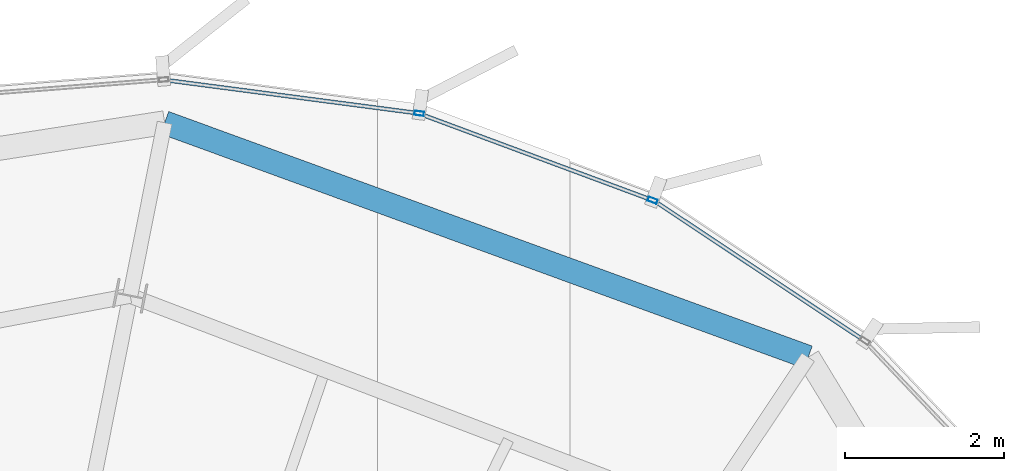
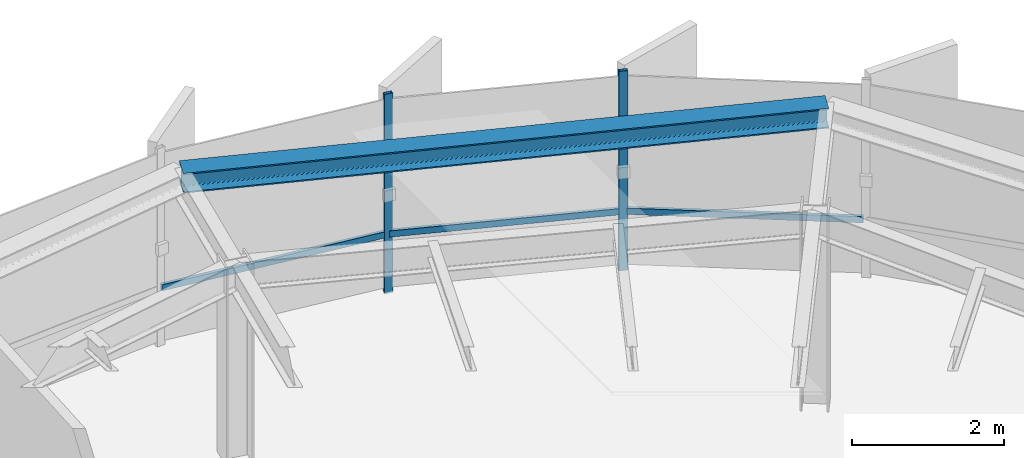
# One storey, part 22 of 31: 5 members, 1 beam, 2 elements without a shape of their own.
"""IFC4 building model written with IfcOpenShell, lengths in metres."""

import ifcopenshell
import ifcopenshell.guid

model = None  # the IFC model being written
_history = None  # IfcOwnerHistory: only IFC2X3 demands one
_inside = {}  # id of a spatial element -> (the spatial element, [elements in it])
_under = {}  # id of a project, library or spatial element -> (it, [spatial elements below it])
_declared = {}  # id of a project -> (the project, [libraries it declares])
_typed = {}  # id of a type object -> (the type object, [elements of that type])
_made_of = {}  # id of a material, layer set ... -> (it, [elements and type objects made of it])


def new_model(schema):
    """Start an empty IFC model of exactly this schema.

    Asked for "IFC4X3", IfcOpenShell would pick the latest addendum, in which some entities
    have other attributes; the version numbers below select the first issue.
    IFC2X3 requires an IfcOwnerHistory on every rooted entity: one is made here for all.
    """
    global model, _history
    if schema == "IFC4X3":
        model = ifcopenshell.file(schema_version=(4, 3, 0, 0))
    else:
        model = ifcopenshell.file(schema=schema)
    _inside.clear()
    _under.clear()
    _declared.clear()
    _typed.clear()
    _made_of.clear()
    _history = None
    if model.schema == "IFC2X3":
        org = make("IfcOrganization", Name="unknown")
        user = make(
            "IfcPersonAndOrganization",
            ThePerson=make("IfcPerson", FamilyName="unknown"),
            TheOrganization=org,
        )
        app = make(
            "IfcApplication",
            ApplicationDeveloper=org,
            Version="unknown",
            ApplicationFullName="unknown",
            ApplicationIdentifier="unknown",
        )
        _history = make(
            "IfcOwnerHistory",
            OwningUser=user,
            OwningApplication=app,
            ChangeAction="ADDED",
            CreationDate=0,
        )
    return model


def make(cls, **values):
    """One entity of the class cls with the attributes given. An attribute that is None is left unset."""
    return model.create_entity(
        cls, **{name: value for name, value in values.items() if value is not None}
    )


def rooted(cls, **values):
    """An entity with a GlobalId (a new one), such as an element, a storey or a relation."""
    return make(cls, GlobalId=ifcopenshell.guid.new(), OwnerHistory=_history, **values)


def si_unit(unit_type, name, prefix=None):
    """IfcSIUnit, for example si_unit("LENGTHUNIT", "METRE", prefix="MILLI")."""
    return make("IfcSIUnit", UnitType=unit_type, Prefix=prefix, Name=name)


def assignment(units):
    """IfcUnitAssignment: the units of a project."""
    return None if units is None else make("IfcUnitAssignment", Units=units)


def point(xyz):
    """IfcCartesianPoint."""
    return None if xyz is None else make("IfcCartesianPoint", Coordinates=xyz)


def direction(xyz):
    """IfcDirection."""
    return None if xyz is None else make("IfcDirection", DirectionRatios=xyz)


def frame(location, z_axis=None, x_axis=None):
    """IfcAxis2Placement3D, a coordinate frame: its origin and axes. An axis left out is left unset."""
    return make(
        "IfcAxis2Placement3D",
        Location=point(location),
        Axis=direction(z_axis),
        RefDirection=direction(x_axis),
    )


def frame_2d(location, x_axis=None):
    """IfcAxis2Placement2D, a coordinate frame in the plane: its origin and x axis."""
    return make(
        "IfcAxis2Placement2D", Location=point(location), RefDirection=direction(x_axis)
    )


def origin():
    """The frame at (0, 0, 0) with its axes left unset."""
    return frame((0.0, 0.0, 0.0))


def origin_2d():
    """The frame at (0, 0) in the plane with its x axis left unset."""
    return frame_2d((0.0, 0.0))


def place(relative_to, where):
    """IfcLocalPlacement: puts the frame where relative to a parent placement (None: the world)."""
    return make(
        "IfcLocalPlacement", PlacementRelTo=relative_to, RelativePlacement=where
    )


def context(
    kind, dimensions, precision=None, world=None, true_north=None, identifier=None
):
    """IfcGeometricRepresentationContext, for example the 3D "Model" context."""
    return make(
        "IfcGeometricRepresentationContext",
        ContextIdentifier=identifier,
        ContextType=kind,
        CoordinateSpaceDimension=dimensions,
        Precision=precision,
        WorldCoordinateSystem=world,
        TrueNorth=true_north,
    )


def subcontext(parent, identifier, kind, view, scale=None):
    """IfcGeometricRepresentationSubContext, for example "Body" below "Model"."""
    return make(
        "IfcGeometricRepresentationSubContext",
        ContextIdentifier=identifier,
        ContextType=kind,
        ParentContext=parent,
        TargetScale=scale,
        TargetView=view,
    )


def project(units=None, contexts=None):
    """IfcProject with its units and contexts."""
    return rooted(
        "IfcProject",
        Name="project",
        RepresentationContexts=contexts,
        UnitsInContext=assignment(units),
    )


def spatial(cls, under=None, at=None, **own):
    """A site, building, storey or space (cls), placed at a placement, below another one or the project."""
    s = rooted(cls, ObjectPlacement=at, **own)
    if under is not None:
        _under.setdefault(under.id(), (under, []))[1].append(s)
    return s


def profile(cls, at=None, kind="AREA", **sizes):
    """A parametric profile (cls). Its sizes go by their IFC names, for example OverallWidth=200.0."""
    return make(cls, ProfileType=kind, Position=at, **sizes)


def hollow_rectangle(**sizes):
    """IfcRectangleHollowProfileDef."""
    return profile("IfcRectangleHollowProfileDef", **sizes)


def i_section(**sizes):
    """IfcIShapeProfileDef."""
    return profile("IfcIShapeProfileDef", **sizes)


def extrude(swept, where, along, depth):
    """IfcExtrudedAreaSolid: the profile swept, set in the frame where, extruded along a direction by depth."""
    return make(
        "IfcExtrudedAreaSolid",
        SweptArea=swept,
        Position=where,
        ExtrudedDirection=direction(along),
        Depth=depth,
    )


def shape(context_of_items, identifier, shape_type, items):
    """IfcShapeRepresentation: the items that make up one representation, for example the "Body"."""
    return make(
        "IfcShapeRepresentation",
        ContextOfItems=context_of_items,
        RepresentationIdentifier=identifier,
        RepresentationType=shape_type,
        Items=items,
    )


def source(mapping_origin, context_of_items, identifier, shape_type, items):
    """IfcRepresentationMap: a shape defined once, which mapped items show again and again."""
    return make(
        "IfcRepresentationMap",
        MappingOrigin=mapping_origin,
        MappedRepresentation=shape(context_of_items, identifier, shape_type, items),
    )


def transform(
    local_origin,
    x_axis=None,
    y_axis=None,
    z_axis=None,
    scale=None,
    scale2=None,
    scale3=None,
    uniform=True,
):
    """IfcCartesianTransformationOperator3D, or its non-uniform kind. x_axis, y_axis, z_axis: its Axis1, 2, 3."""
    if uniform:
        return make(
            "IfcCartesianTransformationOperator3D",
            Axis1=direction(x_axis),
            Axis2=direction(y_axis),
            LocalOrigin=point(local_origin),
            Scale=scale,
            Axis3=direction(z_axis),
        )
    return make(
        "IfcCartesianTransformationOperator3DnonUniform",
        Axis1=direction(x_axis),
        Axis2=direction(y_axis),
        LocalOrigin=point(local_origin),
        Scale=scale,
        Axis3=direction(z_axis),
        Scale2=scale2,
        Scale3=scale3,
    )


def mapped(mapping_source, mapping_target):
    """IfcMappedItem: shows the shape of a source again, moved by a transform."""
    return make(
        "IfcMappedItem", MappingSource=mapping_source, MappingTarget=mapping_target
    )


def material(Name=None, Category=None):
    """IfcMaterial."""
    return make("IfcMaterial", Name=Name, Category=Category)


def layer(
    of_material, thickness, ventilated=None, Name=None, Category=None, Priority=None
):
    """IfcMaterialLayer: one layer of a wall or slab, of a material (None: an air gap)."""
    return make(
        "IfcMaterialLayer",
        Material=of_material,
        LayerThickness=thickness,
        IsVentilated=ventilated,
        Name=Name,
        Category=Category,
        Priority=Priority,
    )


def layer_set(layers, Name=None):
    """IfcMaterialLayerSet."""
    return make("IfcMaterialLayerSet", MaterialLayers=layers, LayerSetName=Name)


def material_profile(
    of_material, cross_section, Name=None, Category=None, Priority=None
):
    """IfcMaterialProfile: a cross section and its material."""
    return make(
        "IfcMaterialProfile",
        Name=Name,
        Material=of_material,
        Profile=cross_section,
        Priority=Priority,
        Category=Category,
    )


def profile_set(profiles, Name=None, composite=None):
    """IfcMaterialProfileSet."""
    return make(
        "IfcMaterialProfileSet",
        Name=Name,
        MaterialProfiles=profiles,
        CompositeProfile=composite,
    )


def made_of(thing, what):
    """Note that an element or type object is made of a material, layer set ...; save() writes the relation."""
    if what is not None:
        _made_of.setdefault(what.id(), (what, []))[1].append(thing)
    return thing


def type_object(cls, material=None, **own):
    """A type object (cls), such as IfcWallType, which elements share."""
    return made_of(rooted(cls, **own), material)


def element(
    cls,
    number,
    at=None,
    inside=None,
    cuts=None,
    type_object=None,
    material=None,
    context=None,
    identifier="Body",
    shape_type=None,
    held_by="IfcProductDefinitionShape",
    body=None,
    shapes=None,
    **own,
):
    """One element of the class cls, such as IfcWall. Its Tag is "e" and its number.

    at: its placement. inside: the storey or other place that contains it. cuts: it is an
    opening in that element (IfcRelVoidsElement). A single representation is given by context,
    identifier, shape_type and body (its items); several are given by shapes. held_by: the class
    of the entity that holds the representations. save() writes the other relations.
    """
    e = rooted(cls, Tag="e%d" % number, ObjectPlacement=at, **own)
    if body is not None:
        shapes = [shape(context, identifier, shape_type, body)]
    if shapes is not None:
        e.Representation = make(held_by, Representations=shapes)
    if inside is not None:
        _inside.setdefault(inside.id(), (inside, []))[1].append(e)
    if cuts is not None:
        rooted(
            "IfcRelVoidsElement", RelatingBuildingElement=cuts, RelatedOpeningElement=e
        )
    if type_object is not None:
        _typed.setdefault(type_object.id(), (type_object, []))[1].append(e)
    return made_of(e, material)


def aggregate(whole, parts):
    """IfcRelAggregates: a whole, such as a stair, and the parts it consists of."""
    return rooted("IfcRelAggregates", RelatingObject=whole, RelatedObjects=parts)


def save(model, path):
    """Write the relations noted so far, then the file.

    IfcRelAggregates (storeys below a building ...), IfcRelContainedInSpatialStructure (elements
    in a storey), IfcRelDefinesByType, IfcRelAssociatesMaterial and IfcRelDeclares: one each for
    every whole, place, type object, material and project.
    """
    for whole, parts in _under.values():
        aggregate(whole, parts)
    for where, things in _inside.values():
        rooted(
            "IfcRelContainedInSpatialStructure",
            RelatedElements=things,
            RelatingStructure=where,
        )
    for kind, things in _typed.values():
        rooted("IfcRelDefinesByType", RelatedObjects=things, RelatingType=kind)
    for what, things in _made_of.values():
        rooted("IfcRelAssociatesMaterial", RelatedObjects=things, RelatingMaterial=what)
    for by, libraries in _declared.values():
        rooted("IfcRelDeclares", RelatingContext=by, RelatedDefinitions=libraries)
    model.write(path)


model = new_model("IFC4")

# Units and contexts
model_context = context("Model", 3, precision=1e-05, world=origin(), true_north=direction((0.0, 1.0)))
body_context = subcontext(model_context, "Body", "Model", "MODEL_VIEW")
ifc_project = project(units=[si_unit("LENGTHUNIT", "METRE"), si_unit("AREAUNIT", "SQUARE_METRE"), si_unit("VOLUMEUNIT", "CUBIC_METRE"), si_unit("PLANEANGLEUNIT", "RADIAN"), si_unit("MASSUNIT", "GRAM", prefix="KILO"), si_unit("THERMODYNAMICTEMPERATUREUNIT", "KELVIN")], contexts=[model_context])

# Site, building, storey
site_placement = place(None, origin())
site = spatial("IfcSite", under=ifc_project, at=site_placement, CompositionType="ELEMENT")
building_placement = place(site_placement, origin())
building = spatial("IfcBuilding", under=site, at=building_placement, Name="Kethvar Cultural Tower", CompositionType="ELEMENT")
storey_placement = place(building_placement, frame((0.0, 0.0, 287.050048828125)))
storey = spatial("IfcBuildingStorey", under=building, at=storey_placement, Name="L76", CompositionType="ELEMENT", Elevation=287.050048828125)

# Beam
ifc_material_1 = material(Name="Steel S355J2", Category="steel")
ifc_material_profile_1 = material_profile(ifc_material_1, i_section(OverallWidth=0.300048828125, OverallDepth=0.320068359375, WebThickness=0.011474609375, FlangeThickness=0.0205078125, FilletRadius=0.027099609375, at=origin_2d()), Name="Steel S355J2 — HEB320")
ifc_profile_set_1 = profile_set([ifc_material_profile_1], Name="Steel S355J2 — HEB320")
beam_type = type_object("IfcBeamType", Name="BM-SP320", PredefinedType="SPANDREL", material=ifc_profile_set_1)
shared_shape_1 = source(origin(), body_context, "Body", "SweptSolid", [
    extrude(i_section(OverallWidth=0.300048828125, OverallDepth=0.320068359375, WebThickness=0.011474609375, FlangeThickness=0.0205078125, FilletRadius=0.027099609375, at=origin_2d()), origin(), (0.0, 0.0, 1.0), 8.641845703125),
])
beam_placement = place(storey_placement, frame((59.198974609375, 46.356201171875, 3.0478515625), z_axis=(-0.939552332573, 0.342405336344, 0.0), x_axis=(-0.342405336344, -0.939552332573, 0.0)))
element("IfcBeam", 1, at=beam_placement, inside=storey, type_object=beam_type, Name="L76 Perimeter Spandrel Beam SP-03", PredefinedType="SPANDREL", context=body_context, shape_type="MappedRepresentation", body=[
    mapped(shared_shape_1, transform((0.0, 0.0, 0.0), scale=1.0)),
])

# Curtain wall, members
ifc_material_2 = material(Name="Aluminium 6063-T6", Category="aluminium")
ifc_layer = layer(ifc_material_2, 0.179931640625, Name="Aluminium 6063-T6", Category="aluminium")
ifc_layer_set = layer_set([ifc_layer], Name="Aluminium 6063-T6 (180 mm)")
curtain_wall_type = type_object("IfcCurtainWallType", Name="CW-SYS-05-Z56", PredefinedType="NOTDEFINED", material=ifc_layer_set)
curtain_wall_1_placement = place(storey_placement, origin())
curtain_wall_1 = element("IfcCurtainWall", 2, at=curtain_wall_1_placement, inside=storey, type_object=curtain_wall_type, Name="L76 Curtain Wall Run 01", PredefinedType="NOTDEFINED")
ifc_material_profile_2 = material_profile(ifc_material_2, hollow_rectangle(XDim=0.054931640625, YDim=0.1201171875, WallThickness=0.00390625, at=origin_2d()), Name="Aluminium 6063-T6 — RHS120x55x4")
ifc_profile_set_2 = profile_set([ifc_material_profile_2], Name="Aluminium 6063-T6 — RHS120x55x4")
member_type_1 = type_object("IfcMemberType", Name="CW-SYS-05-Z56-MUL", PredefinedType="MULLION", material=ifc_profile_set_2)
shared_shape_2 = source(origin(), body_context, "Body", "SweptSolid", [
    extrude(hollow_rectangle(XDim=0.054931640625, YDim=0.1201171875, WallThickness=0.00390625, at=origin_2d()), origin(), (0.0, 0.0, 1.0), 3.2099609375),
])
member_1_placement = place(storey_placement, frame((57.23681640625, 48.3359375, 0.0), z_axis=(0.0, 0.0, 1.0), x_axis=(-0.348130324903, -0.937446146124, 0.0)))
member_1 = element("IfcMember", 3, at=member_1_placement, type_object=member_type_1, Name="CW-L76-R01 Mullion 1", PredefinedType="MULLION", context=body_context, shape_type="MappedRepresentation", body=[
    mapped(shared_shape_2, transform((0.0, 0.0, 0.0), scale=1.0)),
])
member_2_placement = place(storey_placement, frame((54.290771484375, 49.4326171875, 0.0), z_axis=(0.0, 0.0, 1.0), x_axis=(-0.130214714195, -0.99148581846, 0.0)))
member_2 = element("IfcMember", 4, at=member_2_placement, type_object=member_type_1, Name="CW-L76-R01 Mullion 2", PredefinedType="MULLION", context=body_context, shape_type="MappedRepresentation", body=[
    mapped(shared_shape_2, transform((0.0, 0.0, 0.0), scale=1.0)),
])
ifc_material_profile_3 = material_profile(ifc_material_2, hollow_rectangle(XDim=0.050048828125, YDim=0.10009765625, WallThickness=0.00390625, at=origin_2d()), Name="Aluminium 6063-T6 — RHS100x50x4")
ifc_profile_set_3 = profile_set([ifc_material_profile_3], Name="Aluminium 6063-T6 — RHS100x50x4")
member_type_2 = type_object("IfcMemberType", Name="CW-SYS-05-Z56-TRN", PredefinedType="USERDEFINED", material=ifc_profile_set_3)
shared_shape_3 = source(origin(), body_context, "Body", "SweptSolid", [
    extrude(hollow_rectangle(XDim=0.050048828125, YDim=0.10009765625, WallThickness=0.00390625, at=origin_2d()), origin(), (0.0, 0.0, 1.0), 3.122314453125),
])
member_3_placement = place(storey_placement, frame((57.233154296875, 48.337158203125, 0.949951171875), z_axis=(-0.937426730362, 0.348182603245, 0.0), x_axis=(-0.348182603245, -0.937426730362, 0.0)))
member_3 = element("IfcMember", 5, at=member_3_placement, type_object=member_type_2, Name="CW-L76-R01 Transom 1", ObjectType="TRANSOM", PredefinedType="USERDEFINED", context=body_context, shape_type="MappedRepresentation", body=[
    mapped(shared_shape_3, transform((0.0, 0.0, 0.0), scale=1.0)),
])
shared_shape_4 = source(origin(), body_context, "Body", "SweptSolid", [
    extrude(hollow_rectangle(XDim=0.050048828125, YDim=0.10009765625, WallThickness=0.00390625, at=origin_2d()), origin(), (0.0, 0.0, 1.0), 3.192138671875),
])
member_4_placement = place(storey_placement, frame((54.25146484375, 49.437744140625, 0.949951171875), z_axis=(-0.991481866422, 0.130244802416, 0.0), x_axis=(-0.130244802416, -0.991481866422, 0.0)))
member_4 = element("IfcMember", 6, at=member_4_placement, type_object=member_type_2, Name="CW-L76-R01 Transom 2", ObjectType="TRANSOM", PredefinedType="USERDEFINED", context=body_context, shape_type="MappedRepresentation", body=[
    mapped(shared_shape_4, transform((0.0, 0.0, 0.0), scale=1.0)),
])
aggregate(curtain_wall_1, [member_1, member_2, member_3, member_4])

# Curtain wall, member
curtain_wall_2_placement = place(storey_placement, origin())
curtain_wall_2 = element("IfcCurtainWall", 7, at=curtain_wall_2_placement, inside=storey, type_object=curtain_wall_type, Name="L76 Curtain Wall Run 06", PredefinedType="NOTDEFINED")
shared_shape_5 = source(origin(), body_context, "Body", "SweptSolid", [
    extrude(hollow_rectangle(XDim=0.050048828125, YDim=0.10009765625, WallThickness=0.00390625, at=origin_2d()), origin(), (0.0, 0.0, 1.0), 3.1220703125),
])
member_5_placement = place(storey_placement, frame((59.88232421875, 46.5830078125, 0.949951171875), z_axis=(-0.832651327487, 0.55379758652, 0.0), x_axis=(-0.55379758652, -0.832651327487, 0.0)))
member_5 = element("IfcMember", 8, at=member_5_placement, type_object=member_type_2, Name="CW-L76-R06 Transom 6", ObjectType="TRANSOM", PredefinedType="USERDEFINED", context=body_context, shape_type="MappedRepresentation", body=[
    mapped(shared_shape_5, transform((0.0, 0.0, 0.0), scale=1.0)),
])
aggregate(curtain_wall_2, [member_5])

save(model, "model.ifc")
